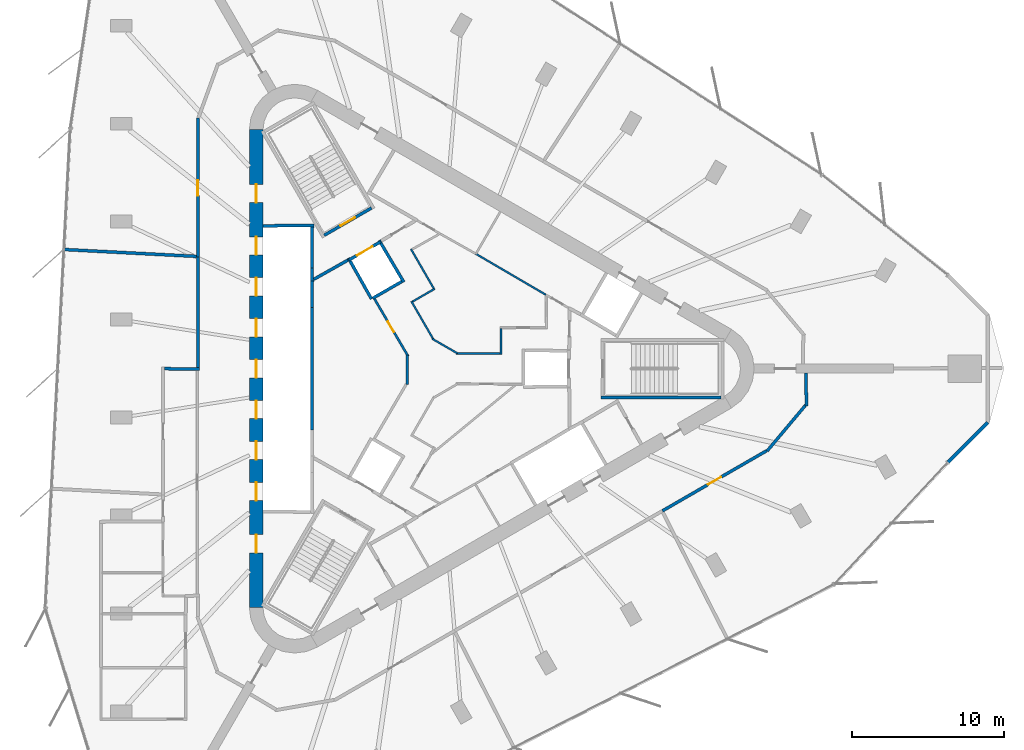
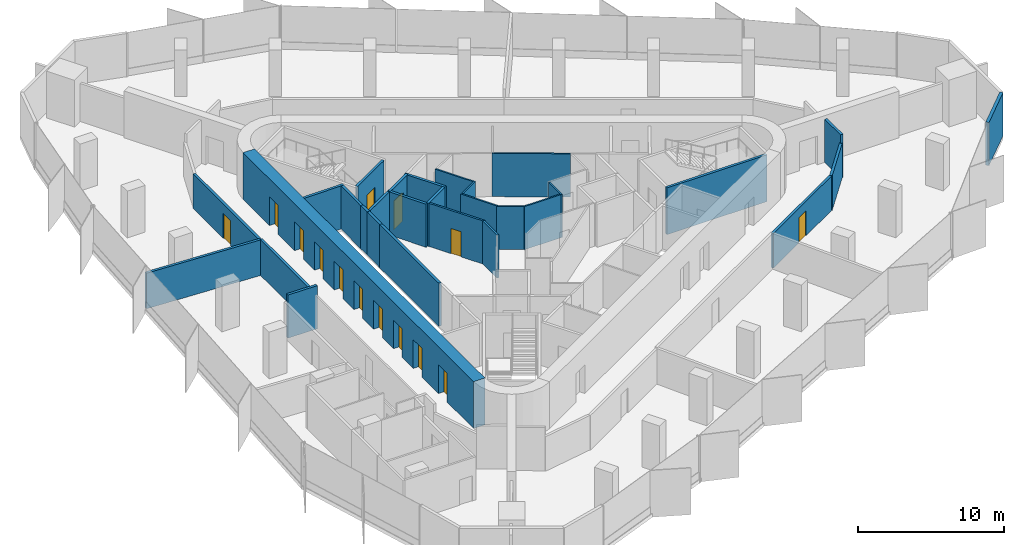
# One storey, part 10 of 13: 30 walls, 14 doors, 14 openings.
"""IFC4 building model written with IfcOpenShell, lengths in metres."""

from ifc_helpers import new_model, si_unit, direction, frame, frame_2d, origin, place, context, subcontext, project, spatial, rectangle, extrude, material, layer, layer_set, type_object, element, fill, save


model = new_model("IFC4")

# Units and contexts
model_context = context("Model", 3, precision=1e-05, world=origin(), true_north=direction((0.0, 1.0)))
body_context = subcontext(model_context, "Body", "Model", "MODEL_VIEW")
ifc_project = project(units=[si_unit("LENGTHUNIT", "METRE"), si_unit("AREAUNIT", "SQUARE_METRE"), si_unit("VOLUMEUNIT", "CUBIC_METRE"), si_unit("PLANEANGLEUNIT", "RADIAN"), si_unit("MASSUNIT", "GRAM", prefix="KILO")], contexts=[model_context])

# Site, building, storey
site_placement = place(None, origin())
site = spatial("IfcSite", under=ifc_project, at=site_placement, CompositionType="ELEMENT")
building_placement = place(site_placement, origin())
building = spatial("IfcBuilding", under=site, at=building_placement, Name="Tanit Gate Tower", CompositionType="ELEMENT")
storey_placement = place(building_placement, frame((0.0, 0.0, 318.199951171875)))
storey = spatial("IfcBuildingStorey", under=building, at=storey_placement, Name="L71", CompositionType="ELEMENT", Elevation=318.199951171875)

# Wall, openings, doors
ifc_material_1 = material(Name="Concrete C40/50", Category="concrete")
ifc_layer_1 = layer(ifc_material_1, 0.89990234375)
ifc_layer_set_1 = layer_set([ifc_layer_1], Name="CORE WALL 900 C40/50")
wall_type_1 = type_object("IfcWallType", Name="CORE WALL 900 C40/50", PredefinedType="SHEAR", material=ifc_layer_set_1)
wall_1_placement = place(storey_placement, frame((-11.64990234375, 15.76171875, 0.0), z_axis=(0.0, 0.0, 1.0), x_axis=(0.0, -1.0, 0.0)))
wall_1 = element("IfcWall", 1, at=wall_1_placement, inside=storey, type_object=wall_type_1, Name="CORE WALL", PredefinedType="SHEAR", context=body_context, shape_type="SweptSolid", body=[
    extrude(rectangle(XDim=31.5234375, YDim=0.89990234375, at=frame_2d((15.76171875, 0.0))), origin(), (0.0, 0.0, 1.0), 3.900146484375),
])
opening_1_placement = place(wall_1_placement, frame((7.061767578125, 0.0, 0.0)))
opening_1 = element("IfcOpeningElement", 2, at=opening_1_placement, cuts=wall_1, Name="Opening LDHL1-S19", PredefinedType="OPENING", context=body_context, shape_type="SweptSolid", body=[
    extrude(rectangle(XDim=1.199951171875, YDim=2.39990234375, at=frame_2d((0.60009765625, 1.199951171875))), frame((0.0, 0.4599609375, 0.0), z_axis=(0.0, -1.0, 0.0), x_axis=(1.0, 0.0, 0.0)), (0.0, 0.0, 1.0), 0.919921875),
])
opening_2_placement = place(wall_1_placement, frame((9.76171875, 0.0, 0.0)))
opening_2 = element("IfcOpeningElement", 3, at=opening_2_placement, cuts=wall_1, Name="Opening LDHL2-S19", PredefinedType="OPENING", context=body_context, shape_type="SweptSolid", body=[
    extrude(rectangle(XDim=1.199951171875, YDim=2.39990234375, at=frame_2d((0.60009765625, 1.199951171875))), frame((0.0, 0.4599609375, 0.0), z_axis=(0.0, -1.0, 0.0), x_axis=(1.0, 0.0, 0.0)), (0.0, 0.0, 1.0), 0.919921875),
])
opening_3_placement = place(wall_1_placement, frame((12.461669921875, 0.0, 0.0)))
opening_3 = element("IfcOpeningElement", 4, at=opening_3_placement, cuts=wall_1, Name="Opening LDHL3-S19", PredefinedType="OPENING", context=body_context, shape_type="SweptSolid", body=[
    extrude(rectangle(XDim=1.199951171875, YDim=2.39990234375, at=frame_2d((0.60009765625, 1.199951171875))), frame((0.0, 0.4599609375, 0.0), z_axis=(0.0, -1.0, 0.0), x_axis=(1.0, 0.0, 0.0)), (0.0, 0.0, 1.0), 0.919921875),
])
opening_4_placement = place(wall_1_placement, frame((15.16162109375, 0.0, 0.0)))
opening_4 = element("IfcOpeningElement", 5, at=opening_4_placement, cuts=wall_1, Name="Opening LDHL4-S19", PredefinedType="OPENING", context=body_context, shape_type="SweptSolid", body=[
    extrude(rectangle(XDim=1.199951171875, YDim=2.39990234375, at=frame_2d((0.60009765625, 1.199951171875))), frame((0.0, 0.4599609375, 0.0), z_axis=(0.0, -1.0, 0.0), x_axis=(1.0, 0.0, 0.0)), (0.0, 0.0, 1.0), 0.919921875),
])
opening_5_placement = place(wall_1_placement, frame((17.86181640625, 0.0, 0.0)))
opening_5 = element("IfcOpeningElement", 6, at=opening_5_placement, cuts=wall_1, Name="Opening LDHL5-S19", PredefinedType="OPENING", context=body_context, shape_type="SweptSolid", body=[
    extrude(rectangle(XDim=1.199951171875, YDim=2.39990234375, at=frame_2d((0.60009765625, 1.199951171875))), frame((0.0, 0.4599609375, 0.0), z_axis=(0.0, -1.0, 0.0), x_axis=(1.0, 0.0, 0.0)), (0.0, 0.0, 1.0), 0.919921875),
])
opening_6_placement = place(wall_1_placement, frame((20.561767578125, 0.0, 0.0)))
opening_6 = element("IfcOpeningElement", 7, at=opening_6_placement, cuts=wall_1, Name="Opening LDHL6-S19", PredefinedType="OPENING", context=body_context, shape_type="SweptSolid", body=[
    extrude(rectangle(XDim=1.199951171875, YDim=2.39990234375, at=frame_2d((0.60009765625, 1.199951171875))), frame((0.0, 0.4599609375, 0.0), z_axis=(0.0, -1.0, 0.0), x_axis=(1.0, 0.0, 0.0)), (0.0, 0.0, 1.0), 0.919921875),
])
opening_7_placement = place(wall_1_placement, frame((23.26171875, 0.0, 0.0)))
opening_7 = element("IfcOpeningElement", 8, at=opening_7_placement, cuts=wall_1, Name="Opening LDHL7-S19", PredefinedType="OPENING", context=body_context, shape_type="SweptSolid", body=[
    extrude(rectangle(XDim=1.199951171875, YDim=2.39990234375, at=frame_2d((0.60009765625, 1.199951171875))), frame((0.0, 0.4599609375, 0.0), z_axis=(0.0, -1.0, 0.0), x_axis=(1.0, 0.0, 0.0)), (0.0, 0.0, 1.0), 0.919921875),
])
opening_8_placement = place(wall_1_placement, frame((3.61181640625, 0.0, 0.0)))
opening_8 = element("IfcOpeningElement", 9, at=opening_8_placement, cuts=wall_1, Name="Opening F12-S19-FL2", PredefinedType="OPENING", context=body_context, shape_type="SweptSolid", body=[
    extrude(rectangle(XDim=1.199951171875, YDim=2.39990234375, at=frame_2d((0.60009765625, 1.199951171875))), frame((0.0, 0.4599609375, 0.0), z_axis=(0.0, -1.0, 0.0), x_axis=(1.0, 0.0, 0.0)), (0.0, 0.0, 1.0), 0.919921875),
])
opening_9_placement = place(wall_1_placement, frame((26.711669921875, 0.0, 0.0)))
opening_9 = element("IfcOpeningElement", 10, at=opening_9_placement, cuts=wall_1, Name="Opening F12-S19-S3", PredefinedType="OPENING", context=body_context, shape_type="SweptSolid", body=[
    extrude(rectangle(XDim=1.199951171875, YDim=2.39990234375, at=frame_2d((0.60009765625, 1.199951171875))), frame((0.0, 0.4599609375, 0.0), z_axis=(0.0, -1.0, 0.0), x_axis=(1.0, 0.0, 0.0)), (0.0, 0.0, 1.0), 0.919921875),
])
ifc_material_2 = material(Name="Fire-rated steel door leaf", Category="steel")
door_type_1 = type_object("IfcDoorType", Name="INT-DOOR-FIRE-LOBBY-1200", OperationType="NOTDEFINED", PredefinedType="USERDEFINED", material=ifc_material_2)
door_1_placement = place(opening_8_placement, origin())
door_1 = element("IfcDoor", 11, at=door_1_placement, inside=storey, type_object=door_type_1, Name="Door F12-S19-FL2", ObjectType="FIRE DOOR", OperationType="SINGLE_SWING_RIGHT", OverallHeight=2.39990234375, OverallWidth=1.199951171875, PredefinedType="USERDEFINED", context=body_context, shape_type="SweptSolid", body=[
    extrude(rectangle(XDim=1.199951171875, YDim=2.39990234375, at=frame_2d((0.60009765625, 1.199951171875))), frame((0.0, 0.02490234375, 0.0), z_axis=(0.0, -1.0, 0.0), x_axis=(1.0, 0.0, 0.0)), (0.0, 0.0, 1.0), 0.050048828125),
])
fill(opening_8, door_1)
door_2_placement = place(opening_9_placement, origin())
door_2 = element("IfcDoor", 12, at=door_2_placement, inside=storey, type_object=door_type_1, Name="Door F12-S19-S3", ObjectType="FIRE DOOR", OperationType="SINGLE_SWING_RIGHT", OverallHeight=2.39990234375, OverallWidth=1.199951171875, PredefinedType="USERDEFINED", context=body_context, shape_type="SweptSolid", body=[
    extrude(rectangle(XDim=1.199951171875, YDim=2.39990234375, at=frame_2d((0.60009765625, 1.199951171875))), frame((0.0, 0.02490234375, 0.0), z_axis=(0.0, -1.0, 0.0), x_axis=(1.0, 0.0, 0.0)), (0.0, 0.0, 1.0), 0.050048828125),
])
fill(opening_9, door_2)
ifc_material_3 = material(Name="Stainless steel sliding door leaf", Category="steel")
door_type_2 = type_object("IfcDoorType", Name="INT-DOOR-LANDING-1200", OperationType="NOTDEFINED", PredefinedType="USERDEFINED", material=ifc_material_3)
door_3_placement = place(opening_1_placement, origin())
door_3 = element("IfcDoor", 13, at=door_3_placement, inside=storey, type_object=door_type_2, Name="Door LDHL1-S19", ObjectType="LANDING DOOR", OperationType="SLIDING_TO_LEFT", OverallHeight=2.39990234375, OverallWidth=1.199951171875, PredefinedType="USERDEFINED", context=body_context, shape_type="SweptSolid", body=[
    extrude(rectangle(XDim=1.199951171875, YDim=2.39990234375, at=frame_2d((0.60009765625, 1.199951171875))), frame((0.0, 0.02490234375, 0.0), z_axis=(0.0, -1.0, 0.0), x_axis=(1.0, 0.0, 0.0)), (0.0, 0.0, 1.0), 0.050048828125),
])
fill(opening_1, door_3)
door_4_placement = place(opening_2_placement, origin())
door_4 = element("IfcDoor", 14, at=door_4_placement, inside=storey, type_object=door_type_2, Name="Door LDHL2-S19", ObjectType="LANDING DOOR", OperationType="SLIDING_TO_LEFT", OverallHeight=2.39990234375, OverallWidth=1.199951171875, PredefinedType="USERDEFINED", context=body_context, shape_type="SweptSolid", body=[
    extrude(rectangle(XDim=1.199951171875, YDim=2.39990234375, at=frame_2d((0.60009765625, 1.199951171875))), frame((0.0, 0.02490234375, 0.0), z_axis=(0.0, -1.0, 0.0), x_axis=(1.0, 0.0, 0.0)), (0.0, 0.0, 1.0), 0.050048828125),
])
fill(opening_2, door_4)
door_5_placement = place(opening_3_placement, origin())
door_5 = element("IfcDoor", 15, at=door_5_placement, inside=storey, type_object=door_type_2, Name="Door LDHL3-S19", ObjectType="LANDING DOOR", OperationType="SLIDING_TO_LEFT", OverallHeight=2.39990234375, OverallWidth=1.199951171875, PredefinedType="USERDEFINED", context=body_context, shape_type="SweptSolid", body=[
    extrude(rectangle(XDim=1.199951171875, YDim=2.39990234375, at=frame_2d((0.60009765625, 1.199951171875))), frame((0.0, 0.02490234375, 0.0), z_axis=(0.0, -1.0, 0.0), x_axis=(1.0, 0.0, 0.0)), (0.0, 0.0, 1.0), 0.050048828125),
])
fill(opening_3, door_5)
door_6_placement = place(opening_4_placement, origin())
door_6 = element("IfcDoor", 16, at=door_6_placement, inside=storey, type_object=door_type_2, Name="Door LDHL4-S19", ObjectType="LANDING DOOR", OperationType="SLIDING_TO_LEFT", OverallHeight=2.39990234375, OverallWidth=1.199951171875, PredefinedType="USERDEFINED", context=body_context, shape_type="SweptSolid", body=[
    extrude(rectangle(XDim=1.199951171875, YDim=2.39990234375, at=frame_2d((0.60009765625, 1.199951171875))), frame((0.0, 0.02490234375, 0.0), z_axis=(0.0, -1.0, 0.0), x_axis=(1.0, 0.0, 0.0)), (0.0, 0.0, 1.0), 0.050048828125),
])
fill(opening_4, door_6)
door_7_placement = place(opening_5_placement, origin())
door_7 = element("IfcDoor", 17, at=door_7_placement, inside=storey, type_object=door_type_2, Name="Door LDHL5-S19", ObjectType="LANDING DOOR", OperationType="SLIDING_TO_LEFT", OverallHeight=2.39990234375, OverallWidth=1.199951171875, PredefinedType="USERDEFINED", context=body_context, shape_type="SweptSolid", body=[
    extrude(rectangle(XDim=1.199951171875, YDim=2.39990234375, at=frame_2d((0.60009765625, 1.199951171875))), frame((0.0, 0.02490234375, 0.0), z_axis=(0.0, -1.0, 0.0), x_axis=(1.0, 0.0, 0.0)), (0.0, 0.0, 1.0), 0.050048828125),
])
fill(opening_5, door_7)
door_8_placement = place(opening_6_placement, origin())
door_8 = element("IfcDoor", 18, at=door_8_placement, inside=storey, type_object=door_type_2, Name="Door LDHL6-S19", ObjectType="LANDING DOOR", OperationType="SLIDING_TO_LEFT", OverallHeight=2.39990234375, OverallWidth=1.199951171875, PredefinedType="USERDEFINED", context=body_context, shape_type="SweptSolid", body=[
    extrude(rectangle(XDim=1.199951171875, YDim=2.39990234375, at=frame_2d((0.60009765625, 1.199951171875))), frame((0.0, 0.02490234375, 0.0), z_axis=(0.0, -1.0, 0.0), x_axis=(1.0, 0.0, 0.0)), (0.0, 0.0, 1.0), 0.050048828125),
])
fill(opening_6, door_8)
door_9_placement = place(opening_7_placement, origin())
door_9 = element("IfcDoor", 19, at=door_9_placement, inside=storey, type_object=door_type_2, Name="Door LDHL7-S19", ObjectType="LANDING DOOR", OperationType="SLIDING_TO_LEFT", OverallHeight=2.39990234375, OverallWidth=1.199951171875, PredefinedType="USERDEFINED", context=body_context, shape_type="SweptSolid", body=[
    extrude(rectangle(XDim=1.199951171875, YDim=2.39990234375, at=frame_2d((0.60009765625, 1.199951171875))), frame((0.0, 0.02490234375, 0.0), z_axis=(0.0, -1.0, 0.0), x_axis=(1.0, 0.0, 0.0)), (0.0, 0.0, 1.0), 0.050048828125),
])
fill(opening_7, door_9)

# Walls
ifc_material_4 = material(Name="Concrete C30/37 with bronze anodised aluminium cladding", Category="concrete")
ifc_layer_2 = layer(ifc_material_4, 0.239990234375)
ifc_layer_set_2 = layer_set([ifc_layer_2], Name="Facade wall bronze clad 240")
wall_type_2 = type_object("IfcWallType", Name="Facade wall bronze clad 240", PredefinedType="SOLIDWALL", material=ifc_layer_set_2)
wall_2_placement = place(storey_placement, frame((33.988525390625, -6.166015625, 0.0), z_axis=(0.0, 0.0, 1.0), x_axis=(0.707073835035, 0.707139725803, 0.0)))
element("IfcWall", 20, at=wall_2_placement, inside=storey, type_object=wall_type_2, Name="Bronze-clad facade wall L71 E.arc1", PredefinedType="SOLIDWALL", context=body_context, shape_type="SweptSolid", body=[
    extrude(rectangle(XDim=3.705322265625, YDim=0.239990234375, at=frame_2d((1.8525390625, 0.0))), origin(), (0.0, 0.0, 1.0), 3.60009765625),
])
ifc_material_5 = material(Name="Fire-rated gypsum board partition")
ifc_layer_3 = layer(ifc_material_5, 0.199951171875)
ifc_layer_set_3 = layer_set([ifc_layer_3], Name="INT-WALL-COMPARTMENT")
wall_type_3 = type_object("IfcWallType", Name="INT-WALL-COMPARTMENT", PredefinedType="PARTITIONING", material=ifc_layer_set_3)
wall_3_placement = place(storey_placement, frame((-5.600341796875, 7.16015625, 0.0), z_axis=(0.0, 0.0, 1.0), x_axis=(-0.871340486379, -0.490678873396, 0.0)))
element("IfcWall", 21, at=wall_3_placement, inside=storey, type_object=wall_type_3, Name="Wall Compartment W064", PredefinedType="PARTITIONING", context=body_context, shape_type="SweptSolid", body=[
    extrude(rectangle(XDim=2.580810546875, YDim=0.199951171875, at=frame_2d((1.29052734375, 0.0))), origin(), (0.0, 0.0, 1.0), 3.60009765625),
])
wall_4_placement = place(storey_placement, frame((-15.39990234375, -0.03125, 0.0), z_axis=(0.0, 0.0, 1.0), x_axis=(-0.999914782125, 0.013054826261, 0.0)))
element("IfcWall", 22, at=wall_4_placement, inside=storey, type_object=wall_type_3, Name="Wall Compartment W093", PredefinedType="PARTITIONING", context=body_context, shape_type="SweptSolid", body=[
    extrude(rectangle(XDim=2.30029296875, YDim=0.199951171875, at=frame_2d((1.150146484375, 0.0))), origin(), (0.0, 0.0, 1.0), 3.60009765625),
])

# Wall, opening, door
wall_5_placement = place(storey_placement, frame((-15.5, 16.54052734375, 0.0), z_axis=(0.0, 0.0, 1.0), x_axis=(0.0, -1.0, 0.0)))
wall_5 = element("IfcWall", 23, at=wall_5_placement, inside=storey, type_object=wall_type_3, Name="Wall Compartment W101", PredefinedType="PARTITIONING", context=body_context, shape_type="SweptSolid", body=[
    extrude(rectangle(XDim=9.16259765625, YDim=0.199951171875, at=frame_2d((4.581298828125, 0.0))), origin(), (0.0, 0.0, 1.0), 2.880126953125),
])
opening_10_placement = place(wall_5_placement, frame((4.119873046875, 0.0, 0.0)))
opening_10 = element("IfcOpeningElement", 24, at=opening_10_placement, cuts=wall_5, Name="Opening F10-S19-27", PredefinedType="OPENING", context=body_context, shape_type="SweptSolid", body=[
    extrude(rectangle(XDim=1.0, YDim=2.10009765625, at=frame_2d((0.5, 1.050048828125))), frame((0.0, 0.10986328125, 0.0), z_axis=(0.0, -1.0, 0.0), x_axis=(1.0, 0.0, 0.0)), (0.0, 0.0, 1.0), 0.219970703125),
])
ifc_material_6 = material(Name="Fire-rated steel door leaf", Category="steel")
door_type_3 = type_object("IfcDoorType", Name="INT-DOOR-FIRE-1000", OperationType="NOTDEFINED", PredefinedType="USERDEFINED", material=ifc_material_6)
door_10_placement = place(opening_10_placement, origin())
door_10 = element("IfcDoor", 25, at=door_10_placement, inside=storey, type_object=door_type_3, Name="Door F10-S19-27", ObjectType="FIRE DOOR", OperationType="SINGLE_SWING_RIGHT", OverallHeight=2.10009765625, OverallWidth=1.0, PredefinedType="USERDEFINED", context=body_context, shape_type="SweptSolid", body=[
    extrude(rectangle(XDim=1.0, YDim=2.10009765625, at=frame_2d((0.5, 1.050048828125))), frame((0.0, 0.02490234375, 0.0), z_axis=(0.0, -1.0, 0.0), x_axis=(1.0, 0.0, 0.0)), (0.0, 0.0, 1.0), 0.050048828125),
])
fill(opening_10, door_10)

# Walls
wall_6_placement = place(storey_placement, frame((-15.5, 7.3779296875, 0.0), z_axis=(0.0, 0.0, 1.0), x_axis=(0.0, -1.0, 0.0)))
element("IfcWall", 26, at=wall_6_placement, inside=storey, type_object=wall_type_3, Name="Wall Compartment W100", PredefinedType="PARTITIONING", context=body_context, shape_type="SweptSolid", body=[
    extrude(rectangle(XDim=7.307861328125, YDim=0.199951171875, at=frame_2d((3.65380859375, 0.0))), origin(), (0.0, 0.0, 1.0), 2.969970703125),
])
wall_7_placement = place(storey_placement, frame((24.647705078125, -2.46240234375, 0.0), z_axis=(0.0, 0.0, 1.0), x_axis=(-0.012757232068, 0.999918623204, 0.0)))
element("IfcWall", 27, at=wall_7_placement, inside=storey, type_object=wall_type_3, Name="Wall Compartment W110", PredefinedType="PARTITIONING", context=body_context, shape_type="SweptSolid", body=[
    extrude(rectangle(XDim=2.16259765625, YDim=0.199951171875, at=frame_2d((1.081298828125, 0.0))), origin(), (0.0, 0.0, 1.0), 3.60009765625),
])
wall_8_placement = place(storey_placement, frame((22.05419921875, -5.435302734375, 0.0), z_axis=(0.0, 0.0, 1.0), x_axis=(0.642790979996, 0.766041615081, 0.0)))
element("IfcWall", 28, at=wall_8_placement, inside=storey, type_object=wall_type_3, Name="Wall Compartment W111", PredefinedType="PARTITIONING", context=body_context, shape_type="SweptSolid", body=[
    extrude(rectangle(XDim=3.9833984375, YDim=0.199951171875, at=frame_2d((1.99169921875, 0.0))), origin(), (0.0, 0.0, 1.0), 2.880126953125),
])

# Wall, opening, door
wall_9_placement = place(storey_placement, frame((15.15234375, -9.380615234375, 0.0), z_axis=(0.0, 0.0, 1.0), x_axis=(0.866019759539, 0.500009775993, 0.0)))
wall_9 = element("IfcWall", 29, at=wall_9_placement, inside=storey, type_object=wall_type_3, Name="Wall Compartment W112", PredefinedType="PARTITIONING", context=body_context, shape_type="SweptSolid", body=[
    extrude(rectangle(XDim=7.943603515625, YDim=0.199951171875, at=frame_2d((3.9716796875, 0.0))), origin(), (0.0, 0.0, 1.0), 2.880126953125),
])
opening_11_placement = place(wall_9_placement, frame((3.471923828125, 0.0, 0.0)))
opening_11 = element("IfcOpeningElement", 30, at=opening_11_placement, cuts=wall_9, Name="Opening F10-S19-30", PredefinedType="OPENING", context=body_context, shape_type="SweptSolid", body=[
    extrude(rectangle(XDim=1.0, YDim=2.10009765625, at=frame_2d((0.5, 1.050048828125))), frame((0.0, 0.10986328125, 0.0), z_axis=(0.0, -1.0, 0.0), x_axis=(1.0, 0.0, 0.0)), (0.0, 0.0, 1.0), 0.219970703125),
])
door_11_placement = place(opening_11_placement, origin())
door_11 = element("IfcDoor", 31, at=door_11_placement, inside=storey, type_object=door_type_3, Name="Door F10-S19-30", ObjectType="FIRE DOOR", OperationType="SINGLE_SWING_LEFT", OverallHeight=2.10009765625, OverallWidth=1.0, PredefinedType="USERDEFINED", context=body_context, shape_type="SweptSolid", body=[
    extrude(rectangle(XDim=1.0, YDim=2.10009765625, at=frame_2d((0.5, 1.050048828125))), frame((0.0, 0.02490234375, 0.0), z_axis=(0.0, -1.0, 0.0), x_axis=(1.0, 0.0, 0.0)), (0.0, 0.0, 1.0), 0.050048828125),
])
fill(opening_11, door_11)

# Walls
wall_10_placement = place(storey_placement, frame((-24.326416015625, 7.8603515625, 0.0), z_axis=(0.0, 0.0, 1.0), x_axis=(0.998647308215, -0.051995709386, 0.0)))
element("IfcWall", 32, at=wall_10_placement, inside=storey, type_object=wall_type_3, Name="Wall Compartment W129", PredefinedType="PARTITIONING", context=body_context, shape_type="SweptSolid", body=[
    extrude(rectangle(XDim=8.738037109375, YDim=0.199951171875, at=frame_2d((4.369140625, 0.0))), origin(), (0.0, 0.0, 1.0), 2.969970703125),
])
ifc_material_7 = material(Name="Gypsum board partition")
ifc_layer_4 = layer(ifc_material_7, 0.1201171875)
ifc_layer_set_4 = layer_set([ifc_layer_4], Name="INT-WALL-PARTITION")
wall_type_4 = type_object("IfcWallType", Name="INT-WALL-PARTITION", PredefinedType="PARTITIONING", material=ifc_layer_set_4)
wall_11_placement = place(storey_placement, frame((7.456787109375, 4.875244140625, 0.0), z_axis=(0.0, 0.0, 1.0), x_axis=(-0.863262357411, 0.504755487615, 0.0)))
element("IfcWall", 33, at=wall_11_placement, inside=storey, type_object=wall_type_4, Name="Wall Partition W046", PredefinedType="PARTITIONING", context=body_context, shape_type="SweptSolid", body=[
    extrude(rectangle(XDim=5.370361328125, YDim=0.1201171875, at=frame_2d((2.68505859375, 0.0))), origin(), (0.0, 0.0, 1.0), 3.60009765625),
])
wall_12_placement = place(storey_placement, frame((4.5, 0.93994140625, 0.0), z_axis=(0.0, 0.0, 1.0), x_axis=(0.0, 1.0, 0.0)))
element("IfcWall", 34, at=wall_12_placement, inside=storey, type_object=wall_type_4, Name="Wall Partition W082", PredefinedType="PARTITIONING", context=body_context, shape_type="SweptSolid", body=[
    extrude(rectangle(XDim=1.699951171875, YDim=0.1201171875, at=frame_2d((0.85009765625, 0.0))), origin(), (0.0, 0.0, 1.0), 3.60009765625),
])
wall_13_placement = place(storey_placement, frame((1.54150390625, 1.0, 0.0), z_axis=(0.0, 0.0, 1.0), x_axis=(1.0, 0.0, 0.0)))
element("IfcWall", 35, at=wall_13_placement, inside=storey, type_object=wall_type_4, Name="Wall Partition W083", PredefinedType="PARTITIONING", context=body_context, shape_type="SweptSolid", body=[
    extrude(rectangle(XDim=2.8984375, YDim=0.1201171875, at=frame_2d((1.44921875, 0.0))), origin(), (0.0, 0.0, 1.0), 3.60009765625),
])
wall_14_placement = place(storey_placement, frame((-0.046630859375, 1.97705078125, 0.0), z_axis=(0.0, 0.0, 1.0), x_axis=(0.865998615205, -0.500046396311, 0.0)))
element("IfcWall", 36, at=wall_14_placement, inside=storey, type_object=wall_type_4, Name="Wall Partition W084", PredefinedType="PARTITIONING", context=body_context, shape_type="SweptSolid", body=[
    extrude(rectangle(XDim=1.935302734375, YDim=0.1201171875, at=frame_2d((0.9677734375, 0.0))), origin(), (0.0, 0.0, 1.0), 3.60009765625),
])
wall_15_placement = place(storey_placement, frame((-1.4140625, 4.448974609375, 0.0), z_axis=(0.0, 0.0, 1.0), x_axis=(0.500028961621, -0.866008682139, 0.0)))
element("IfcWall", 37, at=wall_15_placement, inside=storey, type_object=wall_type_4, Name="Wall Partition W085", PredefinedType="PARTITIONING", context=body_context, shape_type="SweptSolid", body=[
    extrude(rectangle(XDim=2.895751953125, YDim=0.1201171875, at=frame_2d((1.44775390625, 0.0))), origin(), (0.0, 0.0, 1.0), 3.60009765625),
])
wall_16_placement = place(storey_placement, frame((0.14013671875, 5.277099609375, 0.0), z_axis=(0.0, 0.0, 1.0), x_axis=(-0.865989465428, -0.500062241894, 0.0)))
element("IfcWall", 38, at=wall_16_placement, inside=storey, type_object=wall_type_4, Name="Wall Partition W086", PredefinedType="PARTITIONING", context=body_context, shape_type="SweptSolid", body=[
    extrude(rectangle(XDim=1.699951171875, YDim=0.1201171875, at=frame_2d((0.85009765625, 0.0))), origin(), (0.0, 0.0, 1.0), 3.60009765625),
])
wall_17_placement = place(storey_placement, frame((-1.441650390625, 7.897216796875, 0.0), z_axis=(0.0, 0.0, 1.0), x_axis=(0.499990139034, -0.866031096941, 0.0)))
element("IfcWall", 39, at=wall_17_placement, inside=storey, type_object=wall_type_4, Name="Wall Partition W087", PredefinedType="PARTITIONING", context=body_context, shape_type="SweptSolid", body=[
    extrude(rectangle(XDim=3.0, YDim=0.1201171875, at=frame_2d((1.5, 0.0))), origin(), (0.0, 0.0, 1.0), 3.60009765625),
])

# Wall, opening, door
ifc_material_8 = material(Name="Fire-rated gypsum board partition")
ifc_layer_5 = layer(ifc_material_8, 0.14990234375)
ifc_layer_set_5 = layer_set([ifc_layer_5], Name="INT-WALL-RISER")
wall_type_5 = type_object("IfcWallType", Name="INT-WALL-RISER", PredefinedType="PLUMBINGWALL", material=ifc_layer_set_5)
wall_18_placement = place(storey_placement, frame((-1.6240234375, 0.814697265625, 0.0), z_axis=(0.0, 0.0, 1.0), x_axis=(-0.505868173579, 0.862610799237, 0.0)))
wall_18 = element("IfcWall", 40, at=wall_18_placement, inside=storey, type_object=wall_type_5, Name="Wall Riser W068", PredefinedType="PLUMBINGWALL", context=body_context, shape_type="SweptSolid", body=[
    extrude(rectangle(XDim=4.382568359375, YDim=0.14990234375, at=frame_2d((2.19140625, 0.0))), origin(), (0.0, 0.0, 1.0), 3.60009765625),
])
opening_12_placement = place(wall_18_placement, frame((1.855224609375, 0.0, 0.0)))
opening_12 = element("IfcOpeningElement", 41, at=opening_12_placement, cuts=wall_18, Name="Opening R08-S19-10", PredefinedType="OPENING", context=body_context, shape_type="SweptSolid", body=[
    extrude(rectangle(XDim=0.800048828125, YDim=2.10009765625, at=frame_2d((0.39990234375, 1.050048828125))), frame((0.0, 0.0849609375, 0.0), z_axis=(0.0, -1.0, 0.0), x_axis=(1.0, 0.0, 0.0)), (0.0, 0.0, 1.0), 0.169921875),
])
ifc_material_9 = material(Name="Timber door leaf", Category="wood")
door_type_4 = type_object("IfcDoorType", Name="INT-DOOR-RISER-800", OperationType="NOTDEFINED", PredefinedType="USERDEFINED", material=ifc_material_9)
door_12_placement = place(opening_12_placement, origin())
door_12 = element("IfcDoor", 42, at=door_12_placement, inside=storey, type_object=door_type_4, Name="Door R08-S19-10", ObjectType="FIRE DOOR", OperationType="SINGLE_SWING_RIGHT", OverallHeight=2.10009765625, OverallWidth=0.800048828125, PredefinedType="USERDEFINED", context=body_context, shape_type="SweptSolid", body=[
    extrude(rectangle(XDim=0.800048828125, YDim=2.10009765625, at=frame_2d((0.39990234375, 1.050048828125))), frame((0.0, 0.02490234375, 0.0), z_axis=(0.0, -1.0, 0.0), x_axis=(1.0, 0.0, 0.0)), (0.0, 0.0, 1.0), 0.050048828125),
])
fill(opening_12, door_12)

# Walls
wall_19_placement = place(storey_placement, frame((-1.688720703125, -1.052978515625, 0.0), z_axis=(0.0, 0.0, 1.0), x_axis=(0.0, 1.0, 0.0)))
element("IfcWall", 43, at=wall_19_placement, inside=storey, type_object=wall_type_5, Name="Wall Riser W069", PredefinedType="PLUMBINGWALL", context=body_context, shape_type="SweptSolid", body=[
    extrude(rectangle(XDim=1.954345703125, YDim=0.14990234375, at=frame_2d((0.97705078125, 0.0))), origin(), (0.0, 0.0, 1.0), 3.60009765625),
])
ifc_material_10 = material(Name="Gypsum shaft wall system")
ifc_layer_6 = layer(ifc_material_10, 0.199951171875)
ifc_layer_set_6 = layer_set([ifc_layer_6], Name="INT-WALL-SHAFT")
wall_type_6 = type_object("IfcWallType", Name="INT-WALL-SHAFT", PredefinedType="PLUMBINGWALL", material=ifc_layer_set_6)
wall_20_placement = place(storey_placement, frame((-11.199951171875, 9.419921875, 0.0), z_axis=(0.0, 0.0, 1.0), x_axis=(0.999957167047, 0.009255488683, 0.0)))
element("IfcWall", 44, at=wall_20_placement, inside=storey, type_object=wall_type_6, Name="Wall Shaft W001", PredefinedType="PLUMBINGWALL", context=body_context, shape_type="SweptSolid", body=[
    extrude(rectangle(XDim=3.35009765625, YDim=0.199951171875, at=frame_2d((1.675048828125, 0.0))), origin(), (0.0, 0.0, 1.0), 3.60009765625),
])
wall_21_placement = place(storey_placement, frame((-7.951171875, 9.35009765625, 0.0), z_axis=(0.0, 0.0, 1.0), x_axis=(-0.011120469654, -0.999938165666, 0.0)))
element("IfcWall", 45, at=wall_21_placement, inside=storey, type_object=wall_type_6, Name="Wall Shaft W002", PredefinedType="PLUMBINGWALL", context=body_context, shape_type="SweptSolid", body=[
    extrude(rectangle(XDim=2.700439453125, YDim=0.199951171875, at=frame_2d((1.35009765625, 0.0))), origin(), (0.0, 0.0, 1.0), 3.60009765625),
])
wall_22_placement = place(storey_placement, frame((-7.97705078125, 6.650146484375, 0.0), z_axis=(0.0, 0.0, 1.0), x_axis=(0.030861509705, -0.999523670164, 0.0)))
element("IfcWall", 46, at=wall_22_placement, inside=storey, type_object=wall_type_6, Name="Wall Shaft W003", PredefinedType="PLUMBINGWALL", context=body_context, shape_type="SweptSolid", body=[
    extrude(rectangle(XDim=0.878173828125, YDim=0.199951171875, at=frame_2d((0.43896484375, 0.0))), origin(), (0.0, 0.0, 1.0), 3.60009765625),
])
wall_23_placement = place(storey_placement, frame((-7.948974609375, 5.894287109375, 0.0), z_axis=(0.0, 0.0, 1.0), x_axis=(-0.016809909365, -0.999858703491, 0.0)))
element("IfcWall", 47, at=wall_23_placement, inside=storey, type_object=wall_type_6, Name="Wall Shaft W004", PredefinedType="PLUMBINGWALL", context=body_context, shape_type="SweptSolid", body=[
    extrude(rectangle(XDim=1.844482421875, YDim=0.199951171875, at=frame_2d((0.92236328125, 0.0))), origin(), (0.0, 0.0, 1.0), 3.60009765625),
])
wall_24_placement = place(storey_placement, frame((-7.97998046875, 4.050048828125, 0.0), z_axis=(0.0, 0.0, 1.0), x_axis=(0.0, -1.0, 0.0)))
element("IfcWall", 48, at=wall_24_placement, inside=storey, type_object=wall_type_6, Name="Wall Shaft W005", PredefinedType="PLUMBINGWALL", context=body_context, shape_type="SweptSolid", body=[
    extrude(rectangle(XDim=8.10009765625, YDim=0.199951171875, at=frame_2d((4.050048828125, 0.0))), origin(), (0.0, 0.0, 1.0), 3.60009765625),
])

# Wall, opening, door
wall_25_placement = place(storey_placement, frame((-5.524169921875, 7.168212890625, 0.0), z_axis=(0.0, 0.0, 1.0), x_axis=(0.866024647952, 0.500001309137, 0.0)))
wall_25 = element("IfcWall", 49, at=wall_25_placement, inside=storey, type_object=wall_type_6, Name="Wall Shaft W032", PredefinedType="PLUMBINGWALL", context=body_context, shape_type="SweptSolid", body=[
    extrude(rectangle(XDim=2.39990234375, YDim=0.199951171875, at=frame_2d((1.199951171875, 0.0))), origin(), (0.0, 0.0, 1.0), 3.60009765625),
])
opening_13_placement = place(wall_25_placement, frame((0.60009765625, 0.0, 0.0)))
opening_13 = element("IfcOpeningElement", 50, at=opening_13_placement, cuts=wall_25, Name="Opening LDFL2-L71", PredefinedType="OPENING", context=body_context, shape_type="SweptSolid", body=[
    extrude(rectangle(XDim=1.199951171875, YDim=2.39990234375, at=frame_2d((0.60009765625, 1.199951171875))), frame((0.0, 0.10986328125, 0.0), z_axis=(0.0, -1.0, 0.0), x_axis=(1.0, 0.0, 0.0)), (0.0, 0.0, 1.0), 0.219970703125),
])
door_13_placement = place(opening_13_placement, origin())
door_13 = element("IfcDoor", 51, at=door_13_placement, inside=storey, type_object=door_type_2, Name="Door LDFL2-L71", ObjectType="LANDING DOOR", OperationType="SLIDING_TO_LEFT", OverallHeight=2.39990234375, OverallWidth=1.199951171875, PredefinedType="USERDEFINED", context=body_context, shape_type="SweptSolid", body=[
    extrude(rectangle(XDim=1.199951171875, YDim=2.39990234375, at=frame_2d((0.60009765625, 1.199951171875))), frame((0.0, 0.02490234375, 0.0), z_axis=(0.0, -1.0, 0.0), x_axis=(1.0, 0.0, 0.0)), (0.0, 0.0, 1.0), 0.050048828125),
])
fill(opening_13, door_13)

# Walls
wall_26_placement = place(storey_placement, frame((-4.039306640625, 4.59619140625, 0.0), z_axis=(0.0, 0.0, 1.0), x_axis=(-0.491322718731, 0.870977603649, 0.0)))
element("IfcWall", 52, at=wall_26_placement, inside=storey, type_object=wall_type_6, Name="Wall Shaft W033", PredefinedType="PLUMBINGWALL", context=body_context, shape_type="SweptSolid", body=[
    extrude(rectangle(XDim=3.10009765625, YDim=0.199951171875, at=frame_2d((1.550048828125, 0.0))), origin(), (0.0, 0.0, 1.0), 3.60009765625),
])
wall_27_placement = place(storey_placement, frame((-3.53759765625, 8.46533203125, 0.0), z_axis=(0.0, 0.0, 1.0), x_axis=(0.508616218331, -0.860993346345, 0.0)))
element("IfcWall", 53, at=wall_27_placement, inside=storey, type_object=wall_type_6, Name="Wall Shaft W034", PredefinedType="PLUMBINGWALL", context=body_context, shape_type="SweptSolid", body=[
    extrude(rectangle(XDim=3.2001953125, YDim=0.199951171875, at=frame_2d((1.60009765625, 0.0))), origin(), (0.0, 0.0, 1.0), 3.60009765625),
])
wall_28_placement = place(storey_placement, frame((-2.04736328125, 5.74609375, 0.0), z_axis=(0.0, 0.0, 1.0), x_axis=(-0.866019606374, -0.500010041276, 0.0)))
element("IfcWall", 54, at=wall_28_placement, inside=storey, type_object=wall_type_6, Name="Wall Shaft W035", PredefinedType="PLUMBINGWALL", context=body_context, shape_type="SweptSolid", body=[
    extrude(rectangle(XDim=2.20458984375, YDim=0.199951171875, at=frame_2d((1.102294921875, 0.0))), origin(), (0.0, 0.0, 1.0), 3.60009765625),
])
ifc_material_11 = material(Name="Concrete C40/50", Category="concrete")
ifc_layer_7 = layer(ifc_material_11, 0.199951171875)
ifc_layer_set_7 = layer_set([ifc_layer_7], Name="INT-WALL-STAIR")
wall_type_7 = type_object("IfcWallType", Name="INT-WALL-STAIR", PredefinedType="SHEAR", material=ifc_layer_set_7)
wall_29_placement = place(storey_placement, frame((11.10009765625, -1.89990234375, -0.300048828125), z_axis=(0.0, 0.0, 1.0), x_axis=(1.0, 0.0, 0.0)))
element("IfcWall", 55, at=wall_29_placement, inside=storey, type_object=wall_type_7, Name="Wall Stair W022", PredefinedType="SHEAR", context=body_context, shape_type="SweptSolid", body=[
    extrude(rectangle(XDim=7.89990234375, YDim=0.199951171875, at=frame_2d((3.949951171875, 0.0))), origin(), (0.0, 0.0, 1.0), 3.900146484375),
])

# Wall, opening, door
wall_30_placement = place(storey_placement, frame((-7.158935546875, 8.799560546875, -0.300048828125), z_axis=(0.0, 0.0, 1.0), x_axis=(0.866047807691, 0.499961193289, 0.0)))
wall_30 = element("IfcWall", 56, at=wall_30_placement, inside=storey, type_object=wall_type_7, Name="Wall Stair W031", PredefinedType="SHEAR", context=body_context, shape_type="SweptSolid", body=[
    extrude(rectangle(XDim=3.599853515625, YDim=0.199951171875, at=frame_2d((1.7998046875, 0.0))), origin(), (0.0, 0.0, 1.0), 3.900146484375),
])
opening_14_placement = place(wall_30_placement, frame((1.25, 0.0, 0.300048828125)))
opening_14 = element("IfcOpeningElement", 57, at=opening_14_placement, cuts=wall_30, Name="Opening S11-S19-04", PredefinedType="OPENING", context=body_context, shape_type="SweptSolid", body=[
    extrude(rectangle(XDim=1.10009765625, YDim=2.10009765625, at=frame_2d((0.550048828125, 1.050048828125))), frame((0.0, 0.10986328125, 0.0), z_axis=(0.0, -1.0, 0.0), x_axis=(1.0, 0.0, 0.0)), (0.0, 0.0, 1.0), 0.219970703125),
])
ifc_material_12 = material(Name="Timber door leaf", Category="wood")
door_type_5 = type_object("IfcDoorType", Name="INT-DOOR-STAIR-1100", OperationType="NOTDEFINED", PredefinedType="USERDEFINED", material=ifc_material_12)
door_14_placement = place(opening_14_placement, origin())
door_14 = element("IfcDoor", 58, at=door_14_placement, inside=storey, type_object=door_type_5, Name="Door S11-S19-04", ObjectType="FIRE DOOR", OperationType="SINGLE_SWING_RIGHT", OverallHeight=2.10009765625, OverallWidth=1.10009765625, PredefinedType="USERDEFINED", context=body_context, shape_type="SweptSolid", body=[
    extrude(rectangle(XDim=1.10009765625, YDim=2.10009765625, at=frame_2d((0.550048828125, 1.050048828125))), frame((0.0, 0.02490234375, 0.0), z_axis=(0.0, -1.0, 0.0), x_axis=(1.0, 0.0, 0.0)), (0.0, 0.0, 1.0), 0.050048828125),
])
fill(opening_14, door_14)

save(model, "model.ifc")
